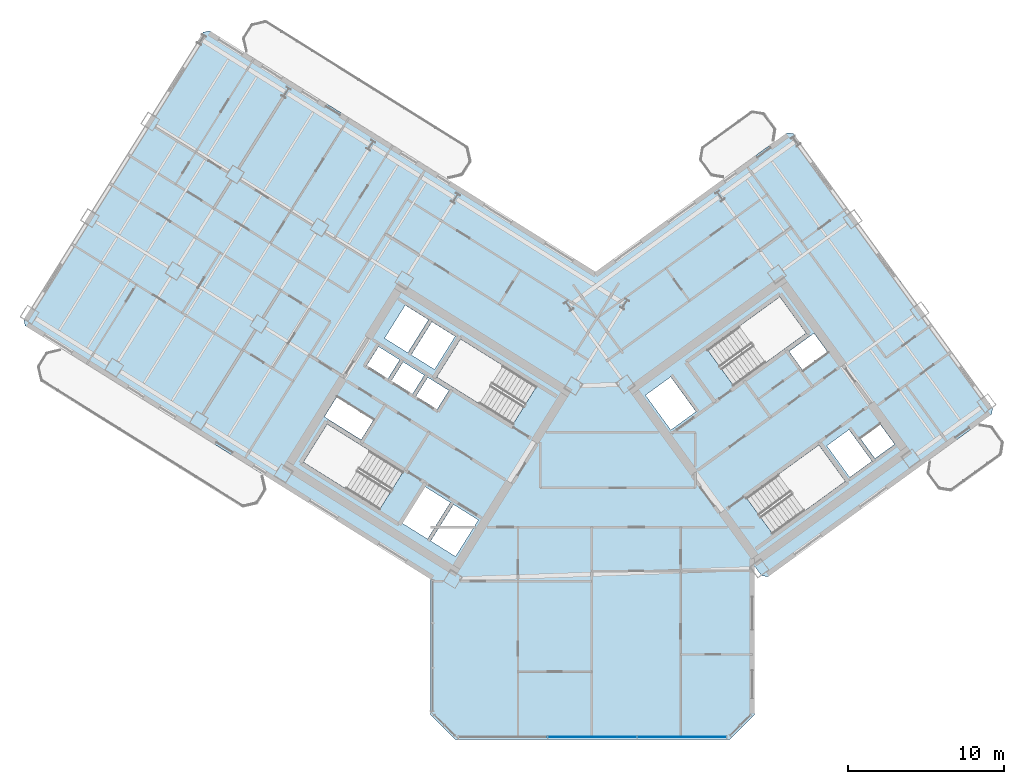
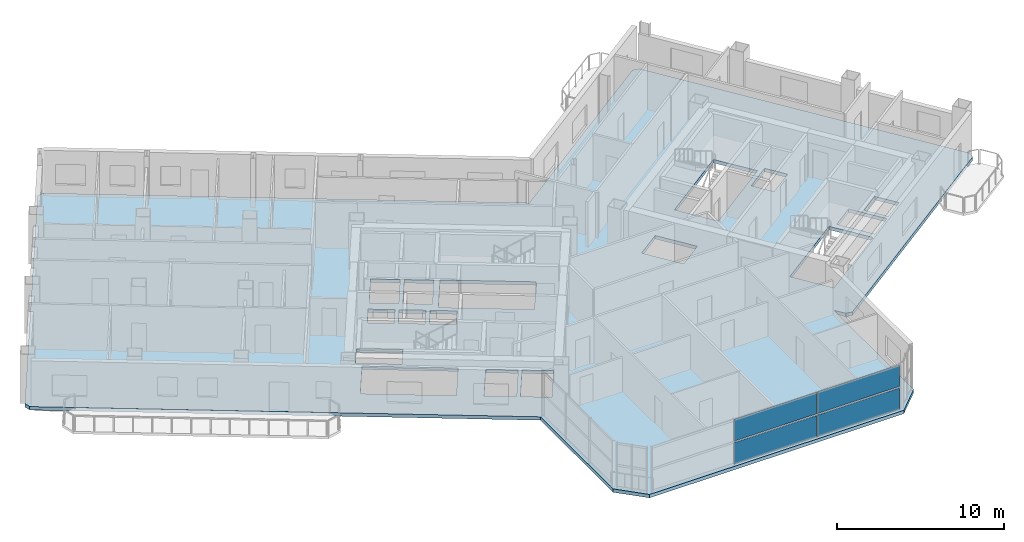
# One storey, part 9 of 20: 4 plates, 1 slab, 1 element without a shape of its own.
"""IFC4 building model written with IfcOpenShell, lengths in metres."""

from ifc_helpers import new_model, si_unit, direction, frame, origin, origin_2d, place, context, subcontext, project, spatial, polyline, rectangle, outline, extrude, source, transform, mapped, material, layer, layer_set, type_object, element, aggregate, save


model = new_model("IFC4")

# Units and contexts
model_context = context("Model", 3, precision=1e-05, world=origin(), true_north=direction((0.0, 1.0)))
body_context = subcontext(model_context, "Body", "Model", "MODEL_VIEW")
ifc_project = project(units=[si_unit("LENGTHUNIT", "METRE"), si_unit("AREAUNIT", "SQUARE_METRE"), si_unit("VOLUMEUNIT", "CUBIC_METRE"), si_unit("PLANEANGLEUNIT", "RADIAN"), si_unit("MASSUNIT", "GRAM", prefix="KILO")], contexts=[model_context])

# Site, building, storey
site_placement = place(None, origin())
site = spatial("IfcSite", under=ifc_project, at=site_placement, CompositionType="ELEMENT")
building_placement = place(site_placement, origin())
building = spatial("IfcBuilding", under=site, at=building_placement, Name="Tlacorven Tower", CompositionType="ELEMENT")
storey_placement = place(building_placement, frame((0.0, 0.0, 116.10009765625)))
storey = spatial("IfcBuildingStorey", under=building, at=storey_placement, Name="L29", CompositionType="ELEMENT", Elevation=116.10009765625)

# Slab
ifc_material_1 = material(Name="Concrete C40/50", Category="concrete")
ifc_layer_1 = layer(ifc_material_1, 0.25)
ifc_layer_set_1 = layer_set([ifc_layer_1], Name="Concrete C40/50")
slab_type = type_object("IfcSlabType", Name="SL-TWR-250", PredefinedType="FLOOR", material=ifc_layer_set_1)
slab_placement = place(storey_placement, frame((0.0, 0.0, -0.25)))
element("IfcSlab", 1, at=slab_placement, inside=storey, type_object=slab_type, Name="L29 Boomerang Tower Floor Slab", PredefinedType="FLOOR", context=body_context, shape_type="SweptSolid", body=[
    extrude(outline(polyline([(52.39990234375, 3.39990234375), (50.800048828125, 1.800048828125), (33.199951171875, 1.800048828125), (31.60009765625, 3.39990234375), (31.60009765625, 12.09423828125), (5.62451171875, 28.32568359375), (5.529052734375, 28.739013671875), (17.0390625, 47.15869140625), (17.452392578125, 47.254150390625), (42.19970703125, 31.790283203125), (54.481689453125, 40.713623046875), (54.90087890625, 40.647216796875), (67.66748046875, 23.075439453125), (67.60107421875, 22.656494140625), (53.265380859375, 12.24072265625), (52.846435546875, 12.30712890625), (52.39990234375, 12.921630859375), (52.39990234375, 3.39990234375)]), holes=[polyline([(29.865478515625, 18.979736328125), (24.9892578125, 22.02685546875), (23.463134765625, 19.58447265625), (28.33935546875, 16.537353515625), (29.865478515625, 18.979736328125)]), polyline([(38.4169921875, 24.4375), (33.540771484375, 27.484375), (32.0146484375, 25.0419921875), (36.890869140625, 21.9951171875), (38.4169921875, 24.4375)]), polyline([(51.05908203125, 24.481689453125), (55.7109375, 27.861572265625), (54.01806640625, 30.19140625), (49.3662109375, 26.811767578125), (51.05908203125, 24.481689453125)]), polyline([(53.56298828125, 14.978759765625), (58.21484375, 18.3583984375), (56.52197265625, 20.6884765625), (51.8701171875, 17.30859375), (53.56298828125, 14.978759765625)]), polyline([(34.682373046875, 15.87548828125), (33.088134765625, 16.871826171875), (31.62548828125, 14.531005859375), (33.2197265625, 13.534912109375), (34.682373046875, 15.87548828125)]), polyline([(32.884521484375, 16.9990234375), (31.2392578125, 18.02685546875), (29.77685546875, 15.686279296875), (31.421875, 14.658203125), (32.884521484375, 16.9990234375)]), polyline([(47.0234375, 21.648681640625), (48.6416015625, 22.82421875), (47.019287109375, 25.05712890625), (45.401123046875, 23.881591796875), (47.0234375, 21.648681640625)]), polyline([(33.197265625, 27.65185546875), (31.704833984375, 28.58447265625), (30.3798828125, 26.46435546875), (31.87255859375, 25.53173828125), (33.197265625, 27.65185546875)]), polyline([(31.484375, 28.722412109375), (29.99169921875, 29.655029296875), (28.6669921875, 27.534912109375), (30.159423828125, 26.602294921875), (31.484375, 28.722412109375)]), polyline([(32.794921875, 24.17724609375), (31.43798828125, 25.025146484375), (30.685546875, 23.82080078125), (32.042236328125, 22.972900390625), (32.794921875, 24.17724609375)]), polyline([(31.217529296875, 25.162841796875), (29.860595703125, 26.0107421875), (29.108154296875, 24.806396484375), (30.465087890625, 23.958740234375), (31.217529296875, 25.162841796875)]), polyline([(29.64013671875, 26.1484375), (28.283203125, 26.996337890625), (27.53076171875, 25.792236328125), (28.8876953125, 24.9443359375), (29.64013671875, 26.1484375)]), polyline([(58.498779296875, 18.614013671875), (59.922607421875, 19.648681640625), (58.453125, 21.671142578125), (57.029296875, 20.63671875), (58.498779296875, 18.614013671875)]), polyline([(27.96142578125, 22.2919921875), (25.603759765625, 23.76513671875), (24.80908203125, 22.4931640625), (27.16650390625, 21.02001953125), (27.96142578125, 22.2919921875)]), polyline([(55.490478515625, 25.4765625), (57.092529296875, 26.640380859375), (56.210693359375, 27.85400390625), (54.60888671875, 26.690185546875), (55.490478515625, 25.4765625)]), polyline([(60.12109375, 19.817626953125), (61.38330078125, 20.734619140625), (60.45458984375, 22.012939453125), (59.192626953125, 21.095947265625), (60.12109375, 19.817626953125)])]), origin(), (0.0, 0.0, 1.0), 0.25),
])

# Curtain wall, plates
ifc_material_2 = material(Name="Dark solar low-E double glazing in aluminium frame", Category="aluminium")
curtain_wall_type = type_object("IfcCurtainWallType", Name="CW-TWR-MID", PredefinedType="USERDEFINED", material=ifc_material_2)
curtain_wall_placement = place(storey_placement, origin())
curtain_wall = element("IfcCurtainWall", 2, at=curtain_wall_placement, inside=storey, type_object=curtain_wall_type, Name="L29 CW-TWR-MID Curtain Wall 144", ObjectType="UNITISED CURTAIN WALL", PredefinedType="USERDEFINED")
ifc_material_3 = material(Name="High-wind dark solar tempered low-E glazing", Category="glass")
ifc_layer_2 = layer(ifc_material_3, 0.028076171875)
ifc_layer_set_2 = layer_set([ifc_layer_2], Name="High-wind dark solar tempered low-E glazing")
plate_type = type_object("IfcPlateType", Name="CWP-03", PredefinedType="CURTAIN_PANEL", material=ifc_layer_set_2)
shared_shape_1 = source(origin(), body_context, "Body", "SweptSolid", [
    extrude(rectangle(XDim=5.67626953125, YDim=0.028076171875, at=origin_2d()), origin(), (0.0, 0.0, 1.0), 1.552978515625),
])
plate_1_placement = place(storey_placement, frame((47.739501953125, 1.9599609375, 0.06103515625), z_axis=(0.0, 0.0, 1.0), x_axis=(-1.0, 0.0, 0.0)))
plate_1 = element("IfcPlate", 3, at=plate_1_placement, type_object=plate_type, Name="CW-L29-144 Glazing Panel 1", PredefinedType="CURTAIN_PANEL", context=body_context, shape_type="MappedRepresentation", body=[
    mapped(shared_shape_1, transform((0.0, 0.0, 0.0), scale=1.0)),
])
plate_2_placement = place(storey_placement, frame((47.739501953125, 1.9599609375, 1.73583984375), z_axis=(0.0, 0.0, 1.0), x_axis=(-1.0, 0.0, 0.0)))
plate_2 = element("IfcPlate", 4, at=plate_2_placement, type_object=plate_type, Name="CW-L29-144 Glazing Panel 2", PredefinedType="CURTAIN_PANEL", context=body_context, shape_type="MappedRepresentation", body=[
    mapped(shared_shape_1, transform((0.0, 0.0, 0.0), scale=1.0)),
])
shared_shape_2 = source(origin(), body_context, "Body", "SweptSolid", [
    extrude(rectangle(XDim=5.708740234375, YDim=0.028076171875, at=origin_2d()), origin(), (0.0, 0.0, 1.0), 1.552978515625),
])
plate_3_placement = place(storey_placement, frame((42.0, 1.9599609375, 0.06103515625), z_axis=(0.0, 0.0, 1.0), x_axis=(-1.0, 0.0, 0.0)))
plate_3 = element("IfcPlate", 5, at=plate_3_placement, type_object=plate_type, Name="CW-L29-144 Glazing Panel 3", PredefinedType="CURTAIN_PANEL", context=body_context, shape_type="MappedRepresentation", body=[
    mapped(shared_shape_2, transform((0.0, 0.0, 0.0), scale=1.0)),
])
plate_4_placement = place(storey_placement, frame((42.0, 1.9599609375, 1.73583984375), z_axis=(0.0, 0.0, 1.0), x_axis=(-1.0, 0.0, 0.0)))
plate_4 = element("IfcPlate", 6, at=plate_4_placement, type_object=plate_type, Name="CW-L29-144 Glazing Panel 4", PredefinedType="CURTAIN_PANEL", context=body_context, shape_type="MappedRepresentation", body=[
    mapped(shared_shape_2, transform((0.0, 0.0, 0.0), scale=1.0)),
])
aggregate(curtain_wall, [plate_1, plate_2, plate_3, plate_4])

save(model, "model.ifc")
